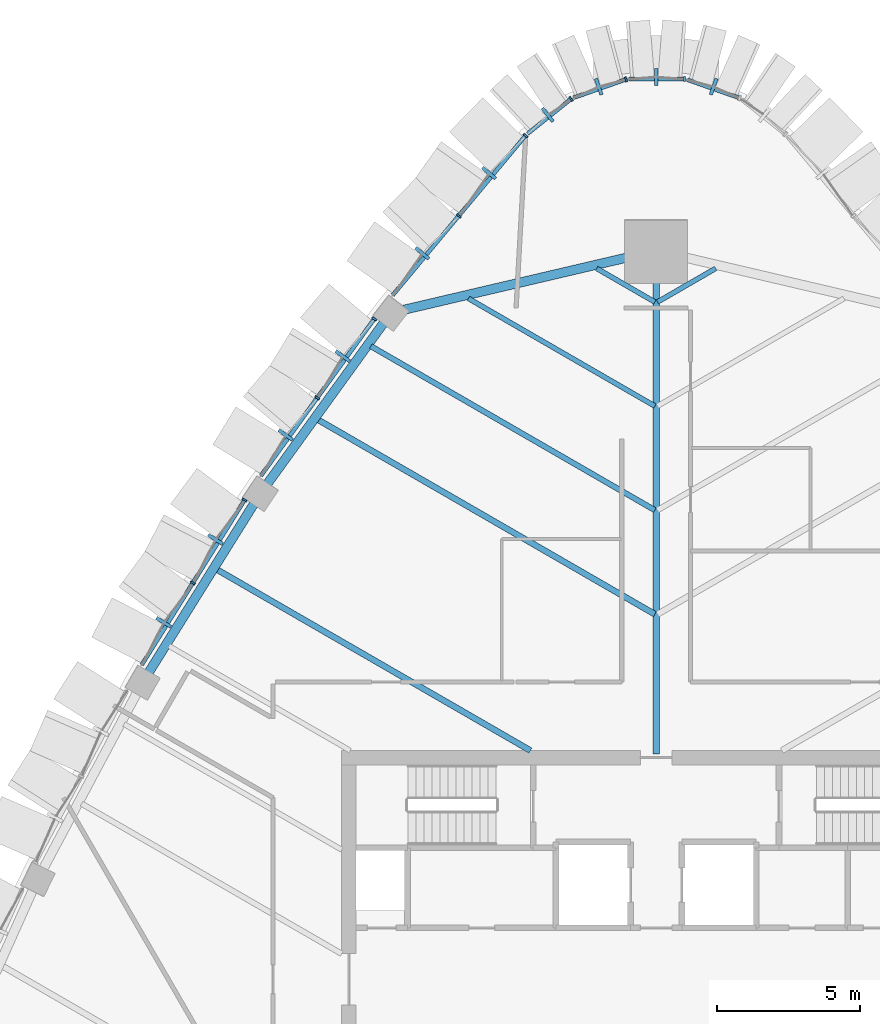
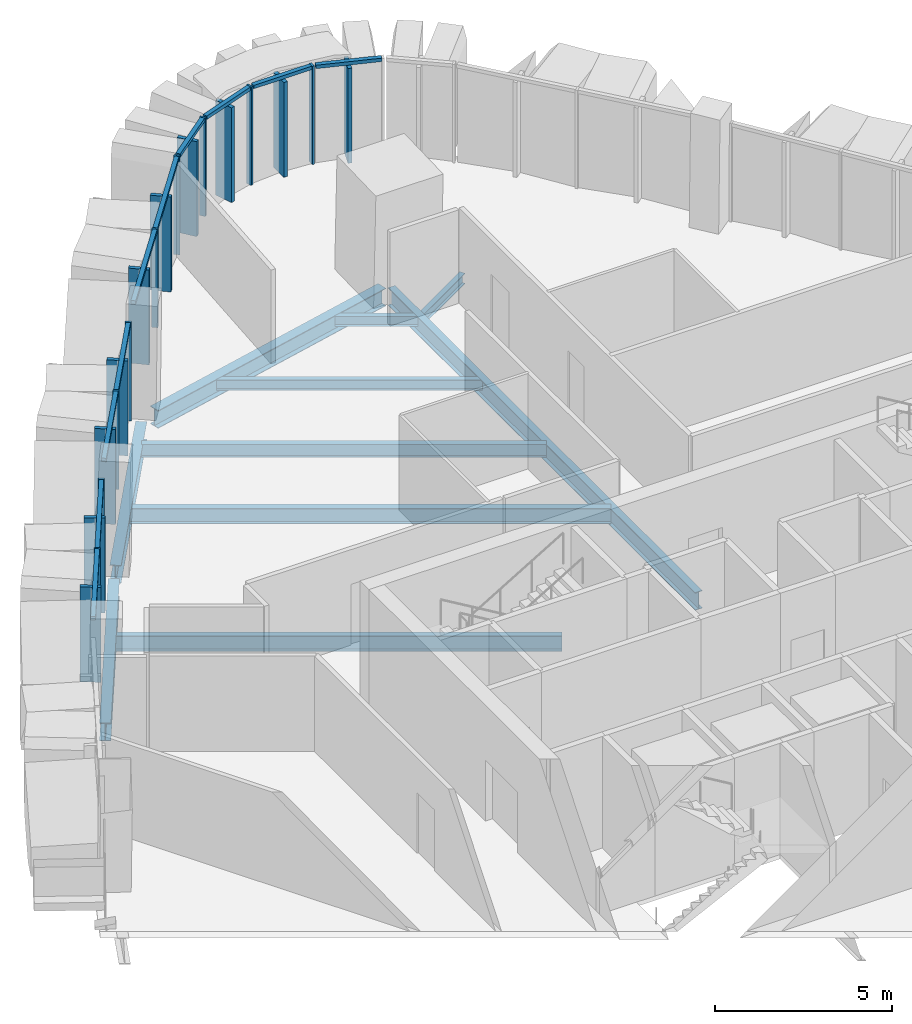
# One storey, part 6 of 20: 29 members, 10 beams, 7 elements without a shape of their own.
"""IFC4 building model written with IfcOpenShell, lengths in metres."""

from ifc_helpers import new_model, si_unit, direction, frame, origin, origin_2d, place, context, subcontext, project, spatial, rectangle, i_section, extrude, material, layer, layer_set, material_profile, profile_set, type_object, element, aggregate, save


model = new_model("IFC4")

# Units and contexts
model_context = context("Model", 3, precision=1e-05, world=origin(), true_north=direction((0.0, 1.0)))
body_context = subcontext(model_context, "Body", "Model", "MODEL_VIEW")
ifc_project = project(units=[si_unit("LENGTHUNIT", "METRE"), si_unit("AREAUNIT", "SQUARE_METRE"), si_unit("VOLUMEUNIT", "CUBIC_METRE"), si_unit("PLANEANGLEUNIT", "RADIAN"), si_unit("MASSUNIT", "GRAM", prefix="KILO")], contexts=[model_context])

# Site, building, storey
site_placement = place(None, origin())
site = spatial("IfcSite", under=ifc_project, at=site_placement, CompositionType="ELEMENT")
building_placement = place(site_placement, origin())
building = spatial("IfcBuilding", under=site, at=building_placement, Name="Sierra Prisma Convention Tower", CompositionType="ELEMENT")
storey_placement = place(building_placement, frame((0.0, 0.0, 239.0)))
storey = spatial("IfcBuildingStorey", under=building, at=storey_placement, Name="L53", CompositionType="ELEMENT", Elevation=239.0)

# Curtain wall, member
ifc_material_1 = material(Name="Aluminium and glass curtain wall", Category="aluminium")
ifc_layer = layer(ifc_material_1, 0.179931640625)
ifc_layer_set = layer_set([ifc_layer], Name="CW-2 Faceted crystal curtain wall")
curtain_wall_type = type_object("IfcCurtainWallType", Name="CW-2 Faceted crystal curtain wall", PredefinedType="NOTDEFINED", material=ifc_layer_set)
curtain_wall_1_placement = place(storey_placement, origin())
curtain_wall_1 = element("IfcCurtainWall", 1, at=curtain_wall_1_placement, inside=storey, type_object=curtain_wall_type, Name="CW-2 N2 L53", PredefinedType="NOTDEFINED")
ifc_material_2 = material(Name="Aluminium 6063-T6 bronze anodised", Category="aluminium")
ifc_material_profile_1 = material_profile(ifc_material_2, rectangle(XDim=0.1201171875, YDim=0.60009765625, at=origin_2d()), Name="ALU RIDGE BLADE 120x600")
ifc_profile_set_1 = profile_set([ifc_material_profile_1], Name="Aluminium 6063-T6 bronze anodised")
member_type_1 = type_object("IfcMemberType", Name="CW hip bronze", PredefinedType="MULLION", material=ifc_profile_set_1)
member_1_placement = place(storey_placement, frame((2.0107421875, 31.22265625, 0.0), z_axis=(0.0, 0.0, 1.0), x_axis=(-0.943753700498, 0.330649289726, 0.0)))
member_1 = element("IfcMember", 2, at=member_1_placement, type_object=member_type_1, Name="CW-2 ridge N2.1", PredefinedType="MULLION", context=body_context, shape_type="SweptSolid", body=[
    extrude(rectangle(XDim=0.1201171875, YDim=0.60009765625, at=origin_2d()), origin(), (0.0, 0.0, 1.0), 3.280029296875),
])

curtain_wall_2_placement = place(storey_placement, origin())
curtain_wall_2 = element("IfcCurtainWall", 3, at=curtain_wall_2_placement, inside=storey, type_object=curtain_wall_type, Name="CW-2 N3 L53", PredefinedType="NOTDEFINED")
member_2_placement = place(storey_placement, frame((0.0, 31.564697265625, 0.0), z_axis=(0.0, 0.0, 1.0), x_axis=(-1.0, 0.0, 0.0)))
member_2 = element("IfcMember", 4, at=member_2_placement, type_object=member_type_1, Name="CW-2 ridge N3.1", PredefinedType="MULLION", context=body_context, shape_type="SweptSolid", body=[
    extrude(rectangle(XDim=0.1201171875, YDim=0.60009765625, at=origin_2d()), origin(), (0.0, 0.0, 1.0), 3.280029296875),
])

curtain_wall_3_placement = place(storey_placement, origin())
curtain_wall_3 = element("IfcCurtainWall", 5, at=curtain_wall_3_placement, inside=storey, type_object=curtain_wall_type, Name="CW-2 N4 L53", PredefinedType="NOTDEFINED")
member_3_placement = place(storey_placement, frame((-2.0107421875, 31.22265625, 0.0), z_axis=(0.0, 0.0, 1.0), x_axis=(-0.943753700498, -0.330649289726, 0.0)))
member_3 = element("IfcMember", 6, at=member_3_placement, type_object=member_type_1, Name="CW-2 ridge N4.1", PredefinedType="MULLION", context=body_context, shape_type="SweptSolid", body=[
    extrude(rectangle(XDim=0.1201171875, YDim=0.60009765625, at=origin_2d()), origin(), (0.0, 0.0, 1.0), 3.280029296875),
])

curtain_wall_4_placement = place(storey_placement, origin())
curtain_wall_4 = element("IfcCurtainWall", 7, at=curtain_wall_4_placement, inside=storey, type_object=curtain_wall_type, Name="CW-2 N5 L53", PredefinedType="NOTDEFINED")
member_4_placement = place(storey_placement, frame((-3.79541015625, 30.235107421875, 0.0), z_axis=(0.0, 0.0, 1.0), x_axis=(-0.781342094396, -0.624102981506, 0.0)))
member_4 = element("IfcMember", 8, at=member_4_placement, type_object=member_type_1, Name="CW-2 ridge N5.1", PredefinedType="MULLION", context=body_context, shape_type="SweptSolid", body=[
    extrude(rectangle(XDim=0.1201171875, YDim=0.60009765625, at=origin_2d()), origin(), (0.0, 0.0, 1.0), 3.280029296875),
])

# Curtain wall, members
curtain_wall_5_placement = place(storey_placement, origin())
curtain_wall_5 = element("IfcCurtainWall", 9, at=curtain_wall_5_placement, inside=storey, type_object=curtain_wall_type, Name="CW-2 NW1 L53", PredefinedType="NOTDEFINED")
member_5_placement = place(storey_placement, frame((-5.845703125, 28.198974609375, 0.0), z_axis=(0.0, 0.0, 1.0), x_axis=(-0.639769116919, -0.768567158443, 0.0)))
member_5 = element("IfcMember", 10, at=member_5_placement, type_object=member_type_1, Name="CW-2 ridge NW1.1", PredefinedType="MULLION", context=body_context, shape_type="SweptSolid", body=[
    extrude(rectangle(XDim=0.1201171875, YDim=0.60009765625, at=origin_2d()), origin(), (0.0, 0.0, 1.0), 3.280029296875),
])
member_6_placement = place(storey_placement, frame((-8.181640625, 25.392822265625, 0.0), z_axis=(0.0, 0.0, 1.0), x_axis=(-0.639769116919, -0.768567158443, 0.0)))
member_6 = element("IfcMember", 11, at=member_6_placement, type_object=member_type_1, Name="CW-2 ridge NW1.2", PredefinedType="MULLION", context=body_context, shape_type="SweptSolid", body=[
    extrude(rectangle(XDim=0.1201171875, YDim=0.60009765625, at=origin_2d()), origin(), (0.0, 0.0, 1.0), 3.280029296875),
])

curtain_wall_6_placement = place(storey_placement, origin())
curtain_wall_6 = element("IfcCurtainWall", 12, at=curtain_wall_6_placement, inside=storey, type_object=curtain_wall_type, Name="CW-2 NW2 L53", PredefinedType="NOTDEFINED")
member_7_placement = place(storey_placement, frame((-10.965087890625, 21.795654296875, 0.0), z_axis=(0.0, 0.0, 1.0), x_axis=(-0.585874071334, -0.810402105462, 0.0)))
member_7 = element("IfcMember", 13, at=member_7_placement, type_object=member_type_1, Name="CW-2 ridge NW2.1", PredefinedType="MULLION", context=body_context, shape_type="SweptSolid", body=[
    extrude(rectangle(XDim=0.1201171875, YDim=0.60009765625, at=origin_2d()), origin(), (0.0, 0.0, 1.0), 3.280029296875),
])
member_8_placement = place(storey_placement, frame((-12.95947265625, 19.036865234375, 0.0), z_axis=(0.0, 0.0, 1.0), x_axis=(-0.585874071334, -0.810402105462, 0.0)))
member_8 = element("IfcMember", 14, at=member_8_placement, type_object=member_type_1, Name="CW-2 ridge NW2.2", PredefinedType="MULLION", context=body_context, shape_type="SweptSolid", body=[
    extrude(rectangle(XDim=0.1201171875, YDim=0.60009765625, at=origin_2d()), origin(), (0.0, 0.0, 1.0), 3.280029296875),
])

curtain_wall_7_placement = place(storey_placement, origin())
curtain_wall_7 = element("IfcCurtainWall", 15, at=curtain_wall_7_placement, inside=storey, type_object=curtain_wall_type, Name="CW-2 NW3 L53", PredefinedType="NOTDEFINED")
member_9_placement = place(storey_placement, frame((-15.41455078125, 15.384521484375, 0.0), z_axis=(0.0, 0.0, 1.0), x_axis=(-0.529251876417, -0.848464761383, 0.0)))
member_9 = element("IfcMember", 16, at=member_9_placement, type_object=member_type_1, Name="CW-2 ridge NW3.1", PredefinedType="MULLION", context=body_context, shape_type="SweptSolid", body=[
    extrude(rectangle(XDim=0.1201171875, YDim=0.60009765625, at=origin_2d()), origin(), (0.0, 0.0, 1.0), 3.280029296875),
])
member_10_placement = place(storey_placement, frame((-17.224609375, 12.48291015625, 0.0), z_axis=(0.0, 0.0, 1.0), x_axis=(-0.529251876417, -0.848464761383, 0.0)))
member_10 = element("IfcMember", 17, at=member_10_placement, type_object=member_type_1, Name="CW-2 ridge NW3.2", PredefinedType="MULLION", context=body_context, shape_type="SweptSolid", body=[
    extrude(rectangle(XDim=0.1201171875, YDim=0.60009765625, at=origin_2d()), origin(), (0.0, 0.0, 1.0), 3.280029296875),
])

# Member
ifc_material_3 = material(Name="Aluminium 6063-T6 bronze anodised", Category="aluminium")
ifc_material_profile_2 = material_profile(ifc_material_3, rectangle(XDim=0.179931640625, YDim=0.070068359375, at=origin_2d()), Name="ALU MULLION 70x180")
ifc_profile_set_2 = profile_set([ifc_material_profile_2], Name="Aluminium 6063-T6 bronze anodised")
member_type_2 = type_object("IfcMemberType", Name="CW mullion bronze", PredefinedType="MULLION", material=ifc_profile_set_2)
member_11_placement = place(storey_placement, frame((0.98681640625, 31.489990234375, 0.0), z_axis=(0.0, 0.0, 1.0), x_axis=(0.0, -1.0, 0.0)))
member_11 = element("IfcMember", 18, at=member_11_placement, type_object=member_type_2, Name="CW-1 mullion N3.1", PredefinedType="MULLION", context=body_context, shape_type="SweptSolid", body=[
    extrude(rectangle(XDim=0.179931640625, YDim=0.070068359375, at=origin_2d()), origin(), (0.0, 0.0, 1.0), 3.39990234375),
])

member_12_placement = place(storey_placement, frame((-1.0546875, 31.478271484375, 0.0), z_axis=(0.0, 0.0, 1.0), x_axis=(0.330649289726, -0.943753700498, 0.0)))
member_12 = element("IfcMember", 19, at=member_12_placement, type_object=member_type_2, Name="CW-1 mullion N4.1", PredefinedType="MULLION", context=body_context, shape_type="SweptSolid", body=[
    extrude(rectangle(XDim=0.179931640625, YDim=0.070068359375, at=origin_2d()), origin(), (0.0, 0.0, 1.0), 3.39990234375),
])

member_13_placement = place(storey_placement, frame((-2.977783203125, 30.792236328125, 0.0), z_axis=(0.0, 0.0, 1.0), x_axis=(0.624102981506, -0.781342094396, 0.0)))
member_13 = element("IfcMember", 20, at=member_13_placement, type_object=member_type_2, Name="CW-1 mullion N5.1", PredefinedType="MULLION", context=body_context, shape_type="SweptSolid", body=[
    extrude(rectangle(XDim=0.179931640625, YDim=0.070068359375, at=origin_2d()), origin(), (0.0, 0.0, 1.0), 3.39990234375),
])

member_14_placement = place(storey_placement, frame((-4.569580078125, 29.511962890625, 0.0), z_axis=(0.0, 0.0, 1.0), x_axis=(0.768567158443, -0.639769116919, 0.0)))
member_14 = element("IfcMember", 21, at=member_14_placement, type_object=member_type_2, Name="CW-1 mullion NW1.1", PredefinedType="MULLION", context=body_context, shape_type="SweptSolid", body=[
    extrude(rectangle(XDim=0.179931640625, YDim=0.070068359375, at=origin_2d()), origin(), (0.0, 0.0, 1.0), 3.39990234375),
])

member_15_placement = place(storey_placement, frame((-6.9052734375, 26.705810546875, 0.0), z_axis=(0.0, 0.0, 1.0), x_axis=(0.768567158443, -0.639769116919, 0.0)))
member_15 = element("IfcMember", 22, at=member_15_placement, type_object=member_type_2, Name="CW-1 mullion NW1.2", PredefinedType="MULLION", context=body_context, shape_type="SweptSolid", body=[
    extrude(rectangle(XDim=0.179931640625, YDim=0.070068359375, at=origin_2d()), origin(), (0.0, 0.0, 1.0), 3.39990234375),
])

member_16_placement = place(storey_placement, frame((-9.861572265625, 23.09814453125, 0.0), z_axis=(0.0, 0.0, 1.0), x_axis=(0.810402105462, -0.585874071334, 0.0)))
member_16 = element("IfcMember", 23, at=member_16_placement, type_object=member_type_2, Name="CW-1 mullion NW2.1", PredefinedType="MULLION", context=body_context, shape_type="SweptSolid", body=[
    extrude(rectangle(XDim=0.179931640625, YDim=0.070068359375, at=origin_2d()), origin(), (0.0, 0.0, 1.0), 3.39990234375),
])

member_17_placement = place(storey_placement, frame((-11.85595703125, 20.33935546875, 0.0), z_axis=(0.0, 0.0, 1.0), x_axis=(0.810402105462, -0.585874071334, 0.0)))
member_17 = element("IfcMember", 24, at=member_17_placement, type_object=member_type_2, Name="CW-1 mullion NW2.2", PredefinedType="MULLION", context=body_context, shape_type="SweptSolid", body=[
    extrude(rectangle(XDim=0.179931640625, YDim=0.070068359375, at=origin_2d()), origin(), (0.0, 0.0, 1.0), 3.39990234375),
])

member_18_placement = place(storey_placement, frame((-14.397705078125, 16.765625, 0.0), z_axis=(0.0, 0.0, 1.0), x_axis=(0.848464761383, -0.529251876417, 0.0)))
member_18 = element("IfcMember", 25, at=member_18_placement, type_object=member_type_2, Name="CW-1 mullion NW3.1", PredefinedType="MULLION", context=body_context, shape_type="SweptSolid", body=[
    extrude(rectangle(XDim=0.179931640625, YDim=0.070068359375, at=origin_2d()), origin(), (0.0, 0.0, 1.0), 3.39990234375),
])

member_19_placement = place(storey_placement, frame((-16.207763671875, 13.864013671875, 0.0), z_axis=(0.0, 0.0, 1.0), x_axis=(0.848464761383, -0.529251876417, 0.0)))
member_19 = element("IfcMember", 26, at=member_19_placement, type_object=member_type_2, Name="CW-1 mullion NW3.2", PredefinedType="MULLION", context=body_context, shape_type="SweptSolid", body=[
    extrude(rectangle(XDim=0.179931640625, YDim=0.070068359375, at=origin_2d()), origin(), (0.0, 0.0, 1.0), 3.39990234375),
])

ifc_material_4 = material(Name="Aluminium 6063-T6 bronze anodised", Category="aluminium")
ifc_material_profile_3 = material_profile(ifc_material_4, rectangle(XDim=0.139892578125, YDim=0.1201171875, at=origin_2d()), Name="ALU TRANSOM 120x140")
ifc_profile_set_3 = profile_set([ifc_material_profile_3], Name="Aluminium 6063-T6 bronze anodised")
member_type_3 = type_object("IfcMemberType", Name="CW transom bronze", PredefinedType="USERDEFINED", material=ifc_profile_set_3)
member_20_placement = place(storey_placement, frame((2.88427734375, 30.83740234375, 3.340087890625), z_axis=(-0.943750326077, 0.330658920988, 0.0), x_axis=(-0.330658920988, -0.943750326077, 0.0)))
member_20 = element("IfcMember", 27, at=member_20_placement, type_object=member_type_3, Name="CW-1 transom N2.1", ObjectType="TRANSOM", PredefinedType="USERDEFINED", context=body_context, shape_type="SweptSolid", body=[
    extrude(rectangle(XDim=0.139892578125, YDim=0.1201171875, at=origin_2d()), origin(), (0.0, 0.0, 1.0), 1.903564453125),
])

aggregate(curtain_wall_1, [member_20, member_1])

member_21_placement = place(storey_placement, frame((0.95166015625, 31.489990234375, 3.340087890625), z_axis=(-1.0, 0.0, 0.0), x_axis=(0.0, -1.0, 0.0)))
member_21 = element("IfcMember", 28, at=member_21_placement, type_object=member_type_3, Name="CW-1 transom N3.1", ObjectType="TRANSOM", PredefinedType="USERDEFINED", context=body_context, shape_type="SweptSolid", body=[
    extrude(rectangle(XDim=0.139892578125, YDim=0.1201171875, at=origin_2d()), origin(), (0.0, 0.0, 1.0), 1.9033203125),
])

aggregate(curtain_wall_2, [member_11, member_21, member_2])

member_22_placement = place(storey_placement, frame((-1.087890625, 31.466796875, 3.340087890625), z_axis=(-0.943750326077, -0.330658920988, 0.0), x_axis=(0.330658920988, -0.943750326077, 0.0)))
member_22 = element("IfcMember", 29, at=member_22_placement, type_object=member_type_3, Name="CW-1 transom N4.1", ObjectType="TRANSOM", PredefinedType="USERDEFINED", context=body_context, shape_type="SweptSolid", body=[
    extrude(rectangle(XDim=0.139892578125, YDim=0.1201171875, at=origin_2d()), origin(), (0.0, 0.0, 1.0), 1.903564453125),
])

aggregate(curtain_wall_3, [member_12, member_22, member_3])

member_23_placement = place(storey_placement, frame((-3.005126953125, 30.7705078125, 3.340087890625), z_axis=(-0.781344074086, -0.624100503037, 0.0), x_axis=(0.624100503037, -0.781344074086, 0.0)))
member_23 = element("IfcMember", 30, at=member_23_placement, type_object=member_type_3, Name="CW-1 transom N5.1", ObjectType="TRANSOM", PredefinedType="USERDEFINED", context=body_context, shape_type="SweptSolid", body=[
    extrude(rectangle(XDim=0.139892578125, YDim=0.1201171875, at=origin_2d()), origin(), (0.0, 0.0, 1.0), 1.903564453125),
])

aggregate(curtain_wall_4, [member_13, member_23, member_4])

member_24_placement = place(storey_placement, frame((-4.591796875, 29.485107421875, 3.340087890625), z_axis=(-0.639781993006, -0.768556439974, 0.0), x_axis=(0.768556439974, -0.639781993006, 0.0)))
member_24 = element("IfcMember", 31, at=member_24_placement, type_object=member_type_3, Name="CW-1 transom NW1.1", ObjectType="TRANSOM", PredefinedType="USERDEFINED", context=body_context, shape_type="SweptSolid", body=[
    extrude(rectangle(XDim=0.139892578125, YDim=0.1201171875, at=origin_2d()), origin(), (0.0, 0.0, 1.0), 3.581298828125),
])

member_25_placement = place(storey_placement, frame((-6.927734375, 26.678955078125, 3.340087890625), z_axis=(-0.639741723372, -0.768589960497, 0.0), x_axis=(0.768589960497, -0.639741723372, 0.0)))
member_25 = element("IfcMember", 32, at=member_25_placement, type_object=member_type_3, Name="CW-1 transom NW1.2", ObjectType="TRANSOM", PredefinedType="USERDEFINED", context=body_context, shape_type="SweptSolid", body=[
    extrude(rectangle(XDim=0.139892578125, YDim=0.1201171875, at=origin_2d()), origin(), (0.0, 0.0, 1.0), 3.5810546875),
])

aggregate(curtain_wall_5, [member_14, member_15, member_24, member_5, member_25, member_6])

member_26_placement = place(storey_placement, frame((-9.882080078125, 23.06982421875, 3.340087890625), z_axis=(-0.585848734644, -0.810420421828, 0.0), x_axis=(0.810420421828, -0.585848734644, 0.0)))
member_26 = element("IfcMember", 33, at=member_26_placement, type_object=member_type_3, Name="CW-1 transom NW2.1", ObjectType="TRANSOM", PredefinedType="USERDEFINED", context=body_context, shape_type="SweptSolid", body=[
    extrude(rectangle(XDim=0.139892578125, YDim=0.1201171875, at=origin_2d()), origin(), (0.0, 0.0, 1.0), 3.334228515625),
])

member_27_placement = place(storey_placement, frame((-11.87646484375, 20.31103515625, 3.340087890625), z_axis=(-0.585883500757, -0.810395288449, 0.0), x_axis=(0.810395288449, -0.585883500757, 0.0)))
member_27 = element("IfcMember", 34, at=member_27_placement, type_object=member_type_3, Name="CW-1 transom NW2.2", ObjectType="TRANSOM", PredefinedType="USERDEFINED", context=body_context, shape_type="SweptSolid", body=[
    extrude(rectangle(XDim=0.139892578125, YDim=0.1201171875, at=origin_2d()), origin(), (0.0, 0.0, 1.0), 3.333984375),
])

aggregate(curtain_wall_6, [member_16, member_17, member_26, member_7, member_27, member_8])

member_28_placement = place(storey_placement, frame((-14.416015625, 16.736083984375, 3.340087890625), z_axis=(-0.529271659567, -0.84845242081, 0.0), x_axis=(0.84845242081, -0.529271659567, 0.0)))
member_28 = element("IfcMember", 35, at=member_28_placement, type_object=member_type_3, Name="CW-1 transom NW3.1", ObjectType="TRANSOM", PredefinedType="USERDEFINED", context=body_context, shape_type="SweptSolid", body=[
    extrude(rectangle(XDim=0.139892578125, YDim=0.1201171875, at=origin_2d()), origin(), (0.0, 0.0, 1.0), 3.350341796875),
])

member_29_placement = place(storey_placement, frame((-16.22607421875, 13.834228515625, 3.340087890625), z_axis=(-0.529304385374, -0.848432005304, 0.0), x_axis=(0.848432005304, -0.529304385374, 0.0)))
member_29 = element("IfcMember", 36, at=member_29_placement, type_object=member_type_3, Name="CW-1 transom NW3.2", ObjectType="TRANSOM", PredefinedType="USERDEFINED", context=body_context, shape_type="SweptSolid", body=[
    extrude(rectangle(XDim=0.139892578125, YDim=0.1201171875, at=origin_2d()), origin(), (0.0, 0.0, 1.0), 3.35009765625),
])

aggregate(curtain_wall_7, [member_18, member_19, member_28, member_9, member_29, member_10])

# Beams
ifc_material_5 = material(Name="Steel ASTM A992 Gr 50", Category="steel")
ifc_material_profile_4 = material_profile(ifc_material_5, i_section(OverallWidth=0.172119140625, OverallDepth=0.35791015625, WebThickness=0.0078125, FlangeThickness=0.01318359375, at=origin_2d()), Name="W360x57")
ifc_profile_set_4 = profile_set([ifc_material_profile_4], Name="Steel ASTM A992 Gr 50")
beam_type_1 = type_object("IfcBeamType", Name="Floor joist W360x57", PredefinedType="JOIST", material=ifc_profile_set_4)
for number, where, z_axis, x_axis, name in (
    (37, (2.080810546875, 24.864501953125, -0.3291015625), (-0.866035054017, -0.499983284935, 0.0), (0.499983284935, -0.866035054017, 0.0), "Floor joist L53 NE14"),
    (38, (-2.080810546875, 24.864501953125, -0.3291015625), (0.866035054017, -0.499983284935, 0.0), (0.499983284935, 0.866035054017, 0.0), "Floor joist L53 NW01"),
):
    element("IfcBeam", number, at=place(storey_placement, frame(where, z_axis=z_axis, x_axis=x_axis)), inside=storey, type_object=beam_type_1, Name=name, PredefinedType="JOIST", context=body_context, shape_type="SweptSolid", body=[
        extrude(i_section(OverallWidth=0.172119140625, OverallDepth=0.35791015625, WebThickness=0.0078125, FlangeThickness=0.01318359375, at=origin_2d()), origin(), (0.0, 0.0, 1.0), 2.349609375),
    ])
beam_1_placement = place(storey_placement, frame((-6.5673828125, 23.814208984375, -0.3291015625), z_axis=(0.866027936218, -0.49999561367, 0.0), x_axis=(0.49999561367, 0.866027936218, 0.0)))
element("IfcBeam", 39, at=beam_1_placement, inside=storey, type_object=beam_type_1, Name="Floor joist L53 NW02", PredefinedType="JOIST", context=body_context, shape_type="SweptSolid", body=[
    extrude(i_section(OverallWidth=0.172119140625, OverallDepth=0.35791015625, WebThickness=0.0078125, FlangeThickness=0.01318359375, at=origin_2d()), origin(), (0.0, 0.0, 1.0), 7.5302734375),
])
ifc_material_6 = material(Name="Steel ASTM A992 Gr 50", Category="steel")
ifc_material_profile_5 = material_profile(ifc_material_6, i_section(OverallWidth=0.18994140625, OverallDepth=0.45703125, WebThickness=0.009033203125, FlangeThickness=0.014404296875, at=origin_2d()), Name="W460x74")
ifc_profile_set_5 = profile_set([ifc_material_profile_5], Name="Steel ASTM A992 Gr 50")
beam_type_2 = type_object("IfcBeamType", Name="Floor joist W460x74", PredefinedType="JOIST", material=ifc_profile_set_5)
beam_2_placement = place(storey_placement, frame((-9.980224609375, 22.144287109375, -0.37841796875), z_axis=(0.866025033342, -0.500000641624, 0.0), x_axis=(0.500000641624, 0.866025033342, 0.0)))
element("IfcBeam", 40, at=beam_2_placement, inside=storey, type_object=beam_type_2, Name="Floor joist L53 NW03", PredefinedType="JOIST", context=body_context, shape_type="SweptSolid", body=[
    extrude(i_section(OverallWidth=0.18994140625, OverallDepth=0.45703125, WebThickness=0.009033203125, FlangeThickness=0.014404296875, at=origin_2d()), origin(), (0.0, 0.0, 1.0), 11.47119140625),
])
ifc_material_7 = material(Name="Steel ASTM A992 Gr 50", Category="steel")
ifc_material_profile_6 = material_profile(ifc_material_7, i_section(OverallWidth=0.208984375, OverallDepth=0.532958984375, WebThickness=0.01025390625, FlangeThickness=0.015625, at=origin_2d()), Name="W530x92")
ifc_profile_set_6 = profile_set([ifc_material_profile_6], Name="Steel ASTM A992 Gr 50")
beam_type_3 = type_object("IfcBeamType", Name="Floor joist W530x92", PredefinedType="JOIST", material=ifc_profile_set_6)
beam_3_placement = place(storey_placement, frame((-11.837158203125, 19.575927734375, -0.41650390625), z_axis=(0.866027624036, -0.499996154391, 0.0), x_axis=(0.499996154391, 0.866027624036, 0.0)))
element("IfcBeam", 41, at=beam_3_placement, inside=storey, type_object=beam_type_3, Name="Floor joist L53 NW04", PredefinedType="JOIST", context=body_context, shape_type="SweptSolid", body=[
    extrude(i_section(OverallWidth=0.208984375, OverallDepth=0.532958984375, WebThickness=0.01025390625, FlangeThickness=0.015625, at=origin_2d()), origin(), (0.0, 0.0, 1.0), 13.615234375),
])
beam_4_placement = place(storey_placement, frame((-15.369384765625, 14.334228515625, -0.41650390625), z_axis=(0.866025123372, -0.500000485689, 0.0), x_axis=(0.500000485689, 0.866025123372, 0.0)))
element("IfcBeam", 42, at=beam_4_placement, inside=storey, type_object=beam_type_3, Name="Floor joist L53 NW06", PredefinedType="JOIST", context=body_context, shape_type="SweptSolid", body=[
    extrude(i_section(OverallWidth=0.208984375, OverallDepth=0.532958984375, WebThickness=0.01025390625, FlangeThickness=0.015625, at=origin_2d()), origin(), (0.0, 0.0, 1.0), 12.66845703125),
])
ifc_material_8 = material(Name="Steel ASTM A992 Gr 50", Category="steel")
ifc_material_profile_7 = material_profile(ifc_material_8, i_section(OverallWidth=0.22998046875, OverallDepth=0.616943359375, WebThickness=0.01318359375, FlangeThickness=0.022216796875, at=origin_2d()), Name="W610x140")
ifc_profile_set_7 = profile_set([ifc_material_profile_7], Name="Steel ASTM A992 Gr 50")
beam_type_4 = type_object("IfcBeamType", Name="Radial girder W610x140", PredefinedType="BEAM", material=ifc_profile_set_7)
beam_5_placement = place(storey_placement, frame((0.0, 25.263427734375, -0.45849609375), z_axis=(0.0, -1.0, 0.0), x_axis=(1.0, 0.0, 0.0)))
element("IfcBeam", 43, at=beam_5_placement, inside=storey, type_object=beam_type_4, Name="Radial girder L53 N", PredefinedType="BEAM", context=body_context, shape_type="SweptSolid", body=[
    extrude(i_section(OverallWidth=0.22998046875, OverallDepth=0.616943359375, WebThickness=0.01318359375, FlangeThickness=0.022216796875, at=origin_2d()), origin(), (0.0, 0.0, 1.0), 17.383544921875),
])
ifc_material_9 = material(Name="Steel ASTM A992 Gr 50", Category="steel")
ifc_material_profile_8 = material_profile(ifc_material_9, i_section(OverallWidth=0.324951171875, OverallDepth=0.615966796875, WebThickness=0.013916015625, FlangeThickness=0.021484375, at=origin_2d()), Name="W610x174")
ifc_profile_set_8 = profile_set([ifc_material_profile_8], Name="Steel ASTM A992 Gr 50")
beam_type_5 = type_object("IfcBeamType", Name="Spandrel beam W610x174", PredefinedType="BEAM", material=ifc_profile_set_8)
beam_6_placement = place(storey_placement, frame((-0.219970703125, 25.431884765625, -0.4580078125), z_axis=(-0.973676574502, -0.227934043675, 0.0), x_axis=(0.227934043675, -0.973676574502, 0.0)))
element("IfcBeam", 44, at=beam_6_placement, inside=storey, type_object=beam_type_5, Name="Spandrel L53-13", PredefinedType="BEAM", context=body_context, shape_type="SweptSolid", body=[
    extrude(i_section(OverallWidth=0.324951171875, OverallDepth=0.615966796875, WebThickness=0.013916015625, FlangeThickness=0.021484375, at=origin_2d()), origin(), (0.0, 0.0, 1.0), 8.8408203125),
])
for number, where, z_axis, x_axis, name in (
    (45, (-9.468505859375, 23.04443359375, -0.4580078125), (-0.585881369522, -0.810396829243, 0.0), (0.810396829243, -0.585881369522, 0.0), "Spandrel L53-14"),
    (46, (-14.018798828125, 16.712158203125, -0.4580078125), (-0.529242392476, -0.848470677164, 0.0), (0.848470677164, -0.529242392476, 0.0), "Spandrel L53-15"),
):
    element("IfcBeam", number, at=place(storey_placement, frame(where, z_axis=z_axis, x_axis=x_axis)), inside=storey, type_object=beam_type_5, Name=name, PredefinedType="BEAM", context=body_context, shape_type="SweptSolid", body=[
        extrude(i_section(OverallWidth=0.324951171875, OverallDepth=0.615966796875, WebThickness=0.013916015625, FlangeThickness=0.021484375, at=origin_2d()), origin(), (0.0, 0.0, 1.0), 7.1376953125),
    ])

save(model, "model.ifc")
